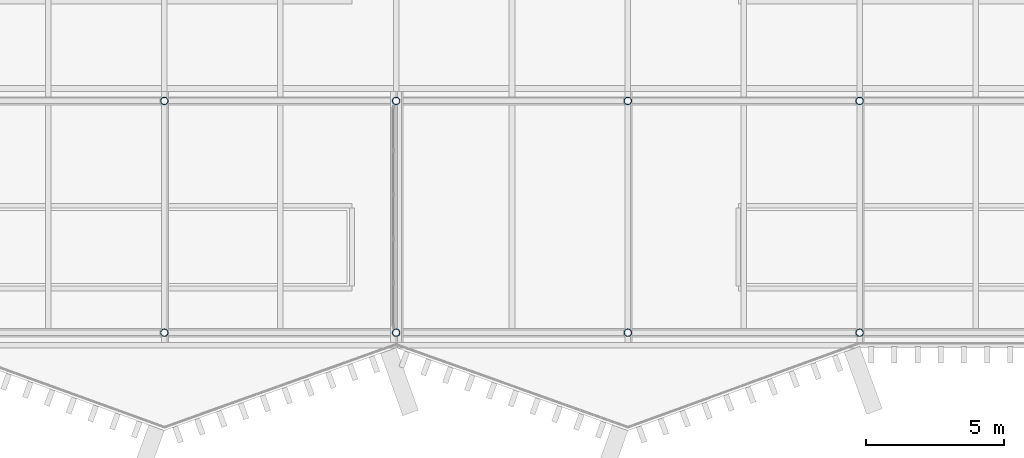
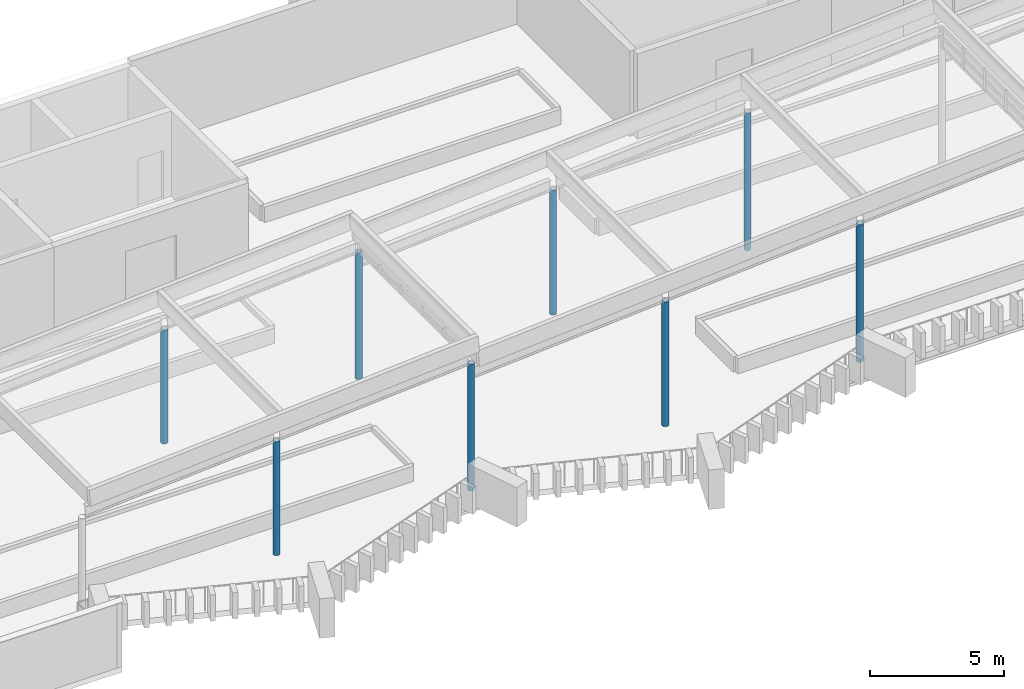
# One storey, part 7 of 51: 8 columns.
"""IFC4 building model written with IfcOpenShell, lengths in metres."""

from ifc_helpers import new_model, si_unit, direction, frame, origin, origin_2d, place, context, subcontext, project, spatial, hollow_circle, extrude, material, material_profile, profile_set, type_object, element, save


model = new_model("IFC4")

# Units and contexts
model_context = context("Model", 3, precision=1e-05, world=origin(), true_north=direction((0.0, 1.0)))
body_context = subcontext(model_context, "Body", "Model", "MODEL_VIEW")
ifc_project = project(units=[si_unit("LENGTHUNIT", "METRE"), si_unit("AREAUNIT", "SQUARE_METRE"), si_unit("VOLUMEUNIT", "CUBIC_METRE"), si_unit("PLANEANGLEUNIT", "RADIAN"), si_unit("MASSUNIT", "GRAM", prefix="KILO")], contexts=[model_context])

# Site, building, storey
site_placement = place(None, origin())
site = spatial("IfcSite", under=ifc_project, at=site_placement, CompositionType="ELEMENT")
building_placement = place(site_placement, origin())
building = spatial("IfcBuilding", under=site, at=building_placement, Name="Cresset Court Congress Hotel", CompositionType="ELEMENT")
storey_placement = place(building_placement, frame((0.0, 0.0, 18.60009765625)))
storey = spatial("IfcBuildingStorey", under=building, at=storey_placement, Name="L04", CompositionType="ELEMENT", Elevation=18.60009765625)

# Columns
ifc_material = material(Name="Structural steel Q355B", Category="steel")
ifc_material_profile = material_profile(ifc_material, hollow_circle(Radius=0.136474609375, WallThickness=0.011962890625, at=origin_2d()), Name="CHS273x12")
ifc_profile_set = profile_set([ifc_material_profile], Name="Structural steel Q355B")
column_type = type_object("IfcColumnType", Name="Steel column CHS273x12", PredefinedType="COLUMN", material=ifc_profile_set)
for number, where, z_axis, x_axis, name in (
    (1, (109.199951171875, 0.0, 0.0), (0.0, 0.0, 1.0), (1.0, 0.0, 0.0), "Roof column 14A"),
    (2, (109.199951171875, 8.39990234375, 0.0), (0.0, 0.0, 1.0), (1.0, 0.0, 0.0), "Roof column 14B"),
):
    element("IfcColumn", number, at=place(storey_placement, frame(where, z_axis=z_axis, x_axis=x_axis)), inside=storey, type_object=column_type, Name=name, PredefinedType="COLUMN", context=body_context, shape_type="SweptSolid", body=[
        extrude(hollow_circle(Radius=0.136474609375, WallThickness=0.011962890625, at=origin_2d()), origin(), (0.0, 0.0, 1.0), 5.18798828125),
    ])
for number, where, z_axis, x_axis, name in (
    (3, (117.60009765625, 0.0, 0.0), (0.0, 0.0, 1.0), (1.0, 0.0, 0.0), "Roof column 15A"),
    (4, (117.60009765625, 8.39990234375, 0.0), (0.0, 0.0, 1.0), (1.0, 0.0, 0.0), "Roof column 15B"),
):
    element("IfcColumn", number, at=place(storey_placement, frame(where, z_axis=z_axis, x_axis=x_axis)), inside=storey, type_object=column_type, Name=name, PredefinedType="COLUMN", context=body_context, shape_type="SweptSolid", body=[
        extrude(hollow_circle(Radius=0.136474609375, WallThickness=0.011962890625, at=origin_2d()), origin(), (0.0, 0.0, 1.0), 5.77587890625),
    ])
for number, where, z_axis, x_axis, name in (
    (5, (126.0, 0.0, 0.0), (0.0, 0.0, 1.0), (1.0, 0.0, 0.0), "Roof column 16A"),
    (6, (126.0, 8.39990234375, 0.0), (0.0, 0.0, 1.0), (1.0, 0.0, 0.0), "Roof column 16B"),
):
    element("IfcColumn", number, at=place(storey_placement, frame(where, z_axis=z_axis, x_axis=x_axis)), inside=storey, type_object=column_type, Name=name, PredefinedType="COLUMN", context=body_context, shape_type="SweptSolid", body=[
        extrude(hollow_circle(Radius=0.136474609375, WallThickness=0.011962890625, at=origin_2d()), origin(), (0.0, 0.0, 1.0), 5.68798828125),
    ])
for number, where, z_axis, x_axis, name in (
    (7, (134.39990234375, 0.0, 0.0), (0.0, 0.0, 1.0), (1.0, 0.0, 0.0), "Roof column 17A"),
    (8, (134.39990234375, 8.39990234375, 0.0), (0.0, 0.0, 1.0), (1.0, 0.0, 0.0), "Roof column 17B"),
):
    element("IfcColumn", number, at=place(storey_placement, frame(where, z_axis=z_axis, x_axis=x_axis)), inside=storey, type_object=column_type, Name=name, PredefinedType="COLUMN", context=body_context, shape_type="SweptSolid", body=[
        extrude(hollow_circle(Radius=0.136474609375, WallThickness=0.011962890625, at=origin_2d()), origin(), (0.0, 0.0, 1.0), 6.27587890625),
    ])

save(model, "model.ifc")
